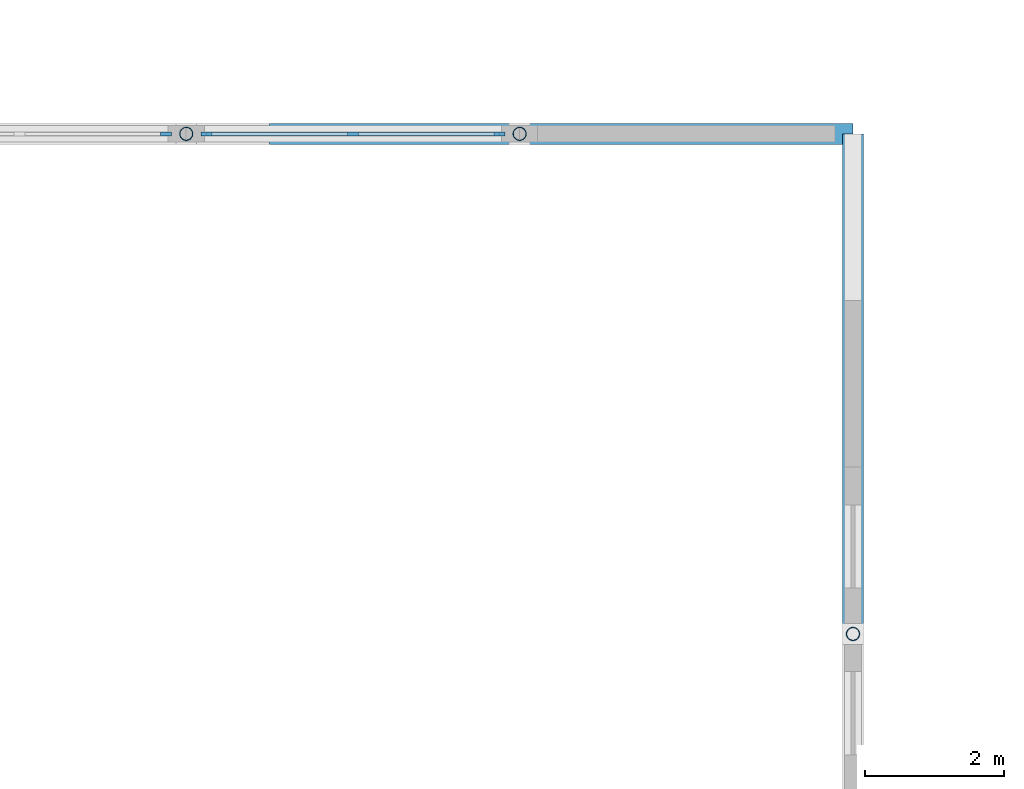
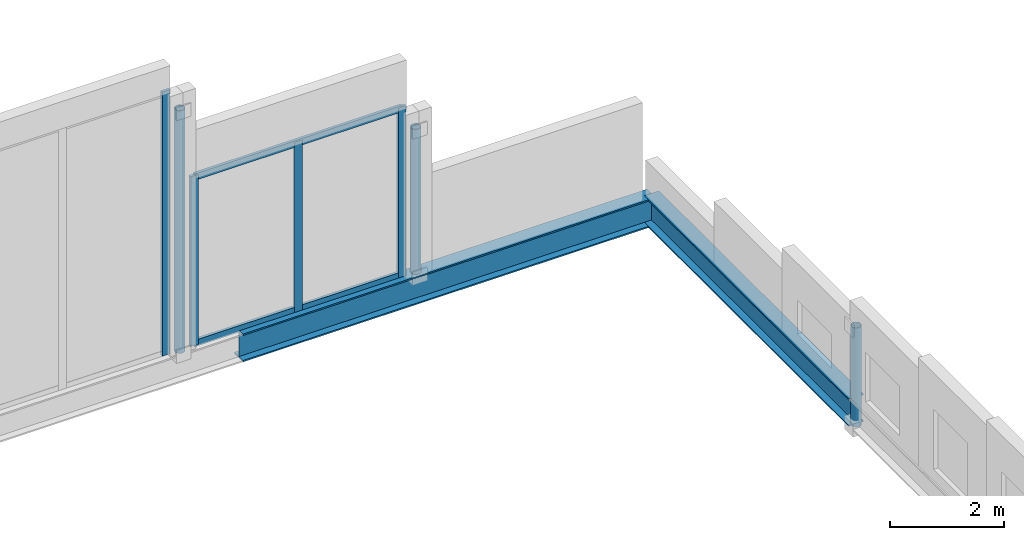
# One storey, part 8 of 34: 9 members, 2 beams, 2 elements without a shape of their own.
"""IFC4 building model written with IfcOpenShell, lengths in metres."""

import ifcopenshell
import ifcopenshell.guid

model = None  # the IFC model being written
_history = None  # IfcOwnerHistory: only IFC2X3 demands one
_inside = {}  # id of a spatial element -> (the spatial element, [elements in it])
_under = {}  # id of a project, library or spatial element -> (it, [spatial elements below it])
_declared = {}  # id of a project -> (the project, [libraries it declares])
_typed = {}  # id of a type object -> (the type object, [elements of that type])
_made_of = {}  # id of a material, layer set ... -> (it, [elements and type objects made of it])


def new_model(schema):
    """Start an empty IFC model of exactly this schema.

    Asked for "IFC4X3", IfcOpenShell would pick the latest addendum, in which some entities
    have other attributes; the version numbers below select the first issue.
    IFC2X3 requires an IfcOwnerHistory on every rooted entity: one is made here for all.
    """
    global model, _history
    if schema == "IFC4X3":
        model = ifcopenshell.file(schema_version=(4, 3, 0, 0))
    else:
        model = ifcopenshell.file(schema=schema)
    _inside.clear()
    _under.clear()
    _declared.clear()
    _typed.clear()
    _made_of.clear()
    _history = None
    if model.schema == "IFC2X3":
        org = make("IfcOrganization", Name="unknown")
        user = make(
            "IfcPersonAndOrganization",
            ThePerson=make("IfcPerson", FamilyName="unknown"),
            TheOrganization=org,
        )
        app = make(
            "IfcApplication",
            ApplicationDeveloper=org,
            Version="unknown",
            ApplicationFullName="unknown",
            ApplicationIdentifier="unknown",
        )
        _history = make(
            "IfcOwnerHistory",
            OwningUser=user,
            OwningApplication=app,
            ChangeAction="ADDED",
            CreationDate=0,
        )
    return model


def make(cls, **values):
    """One entity of the class cls with the attributes given. An attribute that is None is left unset."""
    return model.create_entity(
        cls, **{name: value for name, value in values.items() if value is not None}
    )


def rooted(cls, **values):
    """An entity with a GlobalId (a new one), such as an element, a storey or a relation."""
    return make(cls, GlobalId=ifcopenshell.guid.new(), OwnerHistory=_history, **values)


def si_unit(unit_type, name, prefix=None):
    """IfcSIUnit, for example si_unit("LENGTHUNIT", "METRE", prefix="MILLI")."""
    return make("IfcSIUnit", UnitType=unit_type, Prefix=prefix, Name=name)


def assignment(units):
    """IfcUnitAssignment: the units of a project."""
    return None if units is None else make("IfcUnitAssignment", Units=units)


def point(xyz):
    """IfcCartesianPoint."""
    return None if xyz is None else make("IfcCartesianPoint", Coordinates=xyz)


def direction(xyz):
    """IfcDirection."""
    return None if xyz is None else make("IfcDirection", DirectionRatios=xyz)


def frame(location, z_axis=None, x_axis=None):
    """IfcAxis2Placement3D, a coordinate frame: its origin and axes. An axis left out is left unset."""
    return make(
        "IfcAxis2Placement3D",
        Location=point(location),
        Axis=direction(z_axis),
        RefDirection=direction(x_axis),
    )


def frame_2d(location, x_axis=None):
    """IfcAxis2Placement2D, a coordinate frame in the plane: its origin and x axis."""
    return make(
        "IfcAxis2Placement2D", Location=point(location), RefDirection=direction(x_axis)
    )


def origin():
    """The frame at (0, 0, 0) with its axes left unset."""
    return frame((0.0, 0.0, 0.0))


def origin_2d():
    """The frame at (0, 0) in the plane with its x axis left unset."""
    return frame_2d((0.0, 0.0))


def place(relative_to, where):
    """IfcLocalPlacement: puts the frame where relative to a parent placement (None: the world)."""
    return make(
        "IfcLocalPlacement", PlacementRelTo=relative_to, RelativePlacement=where
    )


def context(
    kind, dimensions, precision=None, world=None, true_north=None, identifier=None
):
    """IfcGeometricRepresentationContext, for example the 3D "Model" context."""
    return make(
        "IfcGeometricRepresentationContext",
        ContextIdentifier=identifier,
        ContextType=kind,
        CoordinateSpaceDimension=dimensions,
        Precision=precision,
        WorldCoordinateSystem=world,
        TrueNorth=true_north,
    )


def subcontext(parent, identifier, kind, view, scale=None):
    """IfcGeometricRepresentationSubContext, for example "Body" below "Model"."""
    return make(
        "IfcGeometricRepresentationSubContext",
        ContextIdentifier=identifier,
        ContextType=kind,
        ParentContext=parent,
        TargetScale=scale,
        TargetView=view,
    )


def project(units=None, contexts=None):
    """IfcProject with its units and contexts."""
    return rooted(
        "IfcProject",
        Name="project",
        RepresentationContexts=contexts,
        UnitsInContext=assignment(units),
    )


def spatial(cls, under=None, at=None, **own):
    """A site, building, storey or space (cls), placed at a placement, below another one or the project."""
    s = rooted(cls, ObjectPlacement=at, **own)
    if under is not None:
        _under.setdefault(under.id(), (under, []))[1].append(s)
    return s


def profile(cls, at=None, kind="AREA", **sizes):
    """A parametric profile (cls). Its sizes go by their IFC names, for example OverallWidth=200.0."""
    return make(cls, ProfileType=kind, Position=at, **sizes)


def rectangle(**sizes):
    """IfcRectangleProfileDef."""
    return profile("IfcRectangleProfileDef", **sizes)


def hollow_circle(**sizes):
    """IfcCircleHollowProfileDef."""
    return profile("IfcCircleHollowProfileDef", **sizes)


def i_section(**sizes):
    """IfcIShapeProfileDef."""
    return profile("IfcIShapeProfileDef", **sizes)


def extrude(swept, where, along, depth):
    """IfcExtrudedAreaSolid: the profile swept, set in the frame where, extruded along a direction by depth."""
    return make(
        "IfcExtrudedAreaSolid",
        SweptArea=swept,
        Position=where,
        ExtrudedDirection=direction(along),
        Depth=depth,
    )


def shape(context_of_items, identifier, shape_type, items):
    """IfcShapeRepresentation: the items that make up one representation, for example the "Body"."""
    return make(
        "IfcShapeRepresentation",
        ContextOfItems=context_of_items,
        RepresentationIdentifier=identifier,
        RepresentationType=shape_type,
        Items=items,
    )


def material(Name=None, Category=None):
    """IfcMaterial."""
    return make("IfcMaterial", Name=Name, Category=Category)


def material_profile(
    of_material, cross_section, Name=None, Category=None, Priority=None
):
    """IfcMaterialProfile: a cross section and its material."""
    return make(
        "IfcMaterialProfile",
        Name=Name,
        Material=of_material,
        Profile=cross_section,
        Priority=Priority,
        Category=Category,
    )


def profile_set(profiles, Name=None, composite=None):
    """IfcMaterialProfileSet."""
    return make(
        "IfcMaterialProfileSet",
        Name=Name,
        MaterialProfiles=profiles,
        CompositeProfile=composite,
    )


def made_of(thing, what):
    """Note that an element or type object is made of a material, layer set ...; save() writes the relation."""
    if what is not None:
        _made_of.setdefault(what.id(), (what, []))[1].append(thing)
    return thing


def type_object(cls, material=None, **own):
    """A type object (cls), such as IfcWallType, which elements share."""
    return made_of(rooted(cls, **own), material)


def element(
    cls,
    number,
    at=None,
    inside=None,
    cuts=None,
    type_object=None,
    material=None,
    context=None,
    identifier="Body",
    shape_type=None,
    held_by="IfcProductDefinitionShape",
    body=None,
    shapes=None,
    **own,
):
    """One element of the class cls, such as IfcWall. Its Tag is "e" and its number.

    at: its placement. inside: the storey or other place that contains it. cuts: it is an
    opening in that element (IfcRelVoidsElement). A single representation is given by context,
    identifier, shape_type and body (its items); several are given by shapes. held_by: the class
    of the entity that holds the representations. save() writes the other relations.
    """
    e = rooted(cls, Tag="e%d" % number, ObjectPlacement=at, **own)
    if body is not None:
        shapes = [shape(context, identifier, shape_type, body)]
    if shapes is not None:
        e.Representation = make(held_by, Representations=shapes)
    if inside is not None:
        _inside.setdefault(inside.id(), (inside, []))[1].append(e)
    if cuts is not None:
        rooted(
            "IfcRelVoidsElement", RelatingBuildingElement=cuts, RelatedOpeningElement=e
        )
    if type_object is not None:
        _typed.setdefault(type_object.id(), (type_object, []))[1].append(e)
    return made_of(e, material)


def aggregate(whole, parts):
    """IfcRelAggregates: a whole, such as a stair, and the parts it consists of."""
    return rooted("IfcRelAggregates", RelatingObject=whole, RelatedObjects=parts)


def save(model, path):
    """Write the relations noted so far, then the file.

    IfcRelAggregates (storeys below a building ...), IfcRelContainedInSpatialStructure (elements
    in a storey), IfcRelDefinesByType, IfcRelAssociatesMaterial and IfcRelDeclares: one each for
    every whole, place, type object, material and project.
    """
    for whole, parts in _under.values():
        aggregate(whole, parts)
    for where, things in _inside.values():
        rooted(
            "IfcRelContainedInSpatialStructure",
            RelatedElements=things,
            RelatingStructure=where,
        )
    for kind, things in _typed.values():
        rooted("IfcRelDefinesByType", RelatedObjects=things, RelatingType=kind)
    for what, things in _made_of.values():
        rooted("IfcRelAssociatesMaterial", RelatedObjects=things, RelatingMaterial=what)
    for by, libraries in _declared.values():
        rooted("IfcRelDeclares", RelatingContext=by, RelatedDefinitions=libraries)
    model.write(path)


model = new_model("IFC4")

# Units and contexts
model_context = context("Model", 3, precision=1e-05, world=origin(), true_north=direction((0.0, 1.0)))
body_context = subcontext(model_context, "Body", "Model", "MODEL_VIEW")
ifc_project = project(units=[si_unit("LENGTHUNIT", "METRE"), si_unit("AREAUNIT", "SQUARE_METRE"), si_unit("VOLUMEUNIT", "CUBIC_METRE"), si_unit("PLANEANGLEUNIT", "RADIAN"), si_unit("MASSUNIT", "GRAM", prefix="KILO")], contexts=[model_context])

# Site, building, storey
site_placement = place(None, origin())
site = spatial("IfcSite", under=ifc_project, at=site_placement, CompositionType="ELEMENT")
building_placement = place(site_placement, origin())
building = spatial("IfcBuilding", under=site, at=building_placement, Name="Kahlenmark Community Centre", CompositionType="ELEMENT")
storey_placement = place(building_placement, frame((0.0, 0.0, 17.699951171875)))
storey = spatial("IfcBuildingStorey", under=building, at=storey_placement, Name="L04", CompositionType="ELEMENT", Elevation=17.699951171875)

# Beams
ifc_material_1 = material(Name="Steel S355", Category="steel")
ifc_material_profile_1 = material_profile(ifc_material_1, i_section(OverallWidth=0.300048828125, OverallDepth=0.60009765625, WebThickness=0.015380859375, FlangeThickness=0.030029296875, at=origin_2d()), Name="HEB 600")
ifc_profile_set_1 = profile_set([ifc_material_profile_1], Name="Steel S355")
beam_type = type_object("IfcBeamType", Name="BT-SPANDREL-HEB600", PredefinedType="SPANDREL", material=ifc_profile_set_1)
beam_1_placement = place(storey_placement, frame((37.60009765625, 37.60009765625, 0.0), z_axis=(1.0, 0.0, 0.0), x_axis=(0.0, 1.0, 0.0)))
element("IfcBeam", 1, at=beam_1_placement, inside=storey, type_object=beam_type, Name="L04 spandrel RB-1", PredefinedType="SPANDREL", context=body_context, shape_type="SweptSolid", body=[
    extrude(i_section(OverallWidth=0.300048828125, OverallDepth=0.60009765625, WebThickness=0.015380859375, FlangeThickness=0.030029296875, at=origin_2d()), origin(), (0.0, 0.0, 1.0), 8.39990234375),
])
beam_2_placement = place(storey_placement, frame((46.0, 30.39990234375, 0.0), z_axis=(0.0, 1.0, 0.0), x_axis=(-1.0, 0.0, 0.0)))
element("IfcBeam", 2, at=beam_2_placement, inside=storey, type_object=beam_type, Name="L04 spandrel RB-1", PredefinedType="SPANDREL", context=body_context, shape_type="SweptSolid", body=[
    extrude(i_section(OverallWidth=0.300048828125, OverallDepth=0.60009765625, WebThickness=0.015380859375, FlangeThickness=0.030029296875, at=origin_2d()), origin(), (0.0, 0.0, 1.0), 7.2001953125),
])

# Curtain wall, member
ifc_material_2 = material(Name="Anodised aluminium unitised curtain wall", Category="aluminium")
curtain_wall_type_1 = type_object("IfcCurtainWallType", Name="CWT-UNIT-428X568", PredefinedType="USERDEFINED", material=ifc_material_2)
curtain_wall_1_placement = place(storey_placement, origin())
curtain_wall_1 = element("IfcCurtainWall", 3, at=curtain_wall_1_placement, inside=storey, type_object=curtain_wall_type_1, Name="Unitised curtain wall CW-199", ObjectType="UNITISED CURTAIN WALL", PredefinedType="USERDEFINED")
ifc_material_3 = material(Name="Anodised aluminium 6063-T6", Category="aluminium")
ifc_material_profile_2 = material_profile(ifc_material_3, rectangle(XDim=0.06005859375, YDim=0.159912109375, at=origin_2d()), Name="ALU MULLION 60x160")
ifc_profile_set_2 = profile_set([ifc_material_profile_2], Name="Anodised aluminium 6063-T6")
member_type_1 = type_object("IfcMemberType", Name="MT-MUL-160", PredefinedType="MULLION", material=ifc_profile_set_2)
member_1_placement = place(storey_placement, frame((36.110107421875, 37.60009765625, 0.300048828125), z_axis=(0.0, 0.0, 1.0), x_axis=(0.0, 1.0, 0.0)))
member_1 = element("IfcMember", 4, at=member_1_placement, type_object=member_type_1, Name="CW-199 mullion 3", PredefinedType="MULLION", context=body_context, shape_type="SweptSolid", body=[
    extrude(rectangle(XDim=0.06005859375, YDim=0.159912109375, at=origin_2d()), origin(), (0.0, 0.0, 1.0), 5.6796875),
])
aggregate(curtain_wall_1, [member_1])

# Curtain wall, members
curtain_wall_type_2 = type_object("IfcCurtainWallType", Name="CWT-UNIT-428X366", PredefinedType="USERDEFINED", material=ifc_material_2)
curtain_wall_2_placement = place(storey_placement, origin())
curtain_wall_2 = element("IfcCurtainWall", 5, at=curtain_wall_2_placement, inside=storey, type_object=curtain_wall_type_2, Name="Unitised curtain wall CW-200", ObjectType="UNITISED CURTAIN WALL", PredefinedType="USERDEFINED")
member_2_placement = place(storey_placement, frame((36.68994140625, 37.60009765625, 0.300048828125), z_axis=(0.0, 0.0, 1.0), x_axis=(0.0, 1.0, 0.0)))
member_2 = element("IfcMember", 6, at=member_2_placement, type_object=member_type_1, Name="CW-200 mullion 1", PredefinedType="MULLION", context=body_context, shape_type="SweptSolid", body=[
    extrude(rectangle(XDim=0.06005859375, YDim=0.159912109375, at=origin_2d()), origin(), (0.0, 0.0, 1.0), 3.6572265625),
])
member_3_placement = place(storey_placement, frame((38.800048828125, 37.60009765625, 0.300048828125), z_axis=(0.0, 0.0, 1.0), x_axis=(0.0, 1.0, 0.0)))
member_3 = element("IfcMember", 7, at=member_3_placement, type_object=member_type_1, Name="CW-200 mullion 2", PredefinedType="MULLION", context=body_context, shape_type="SweptSolid", body=[
    extrude(rectangle(XDim=0.06005859375, YDim=0.159912109375, at=origin_2d()), origin(), (0.0, 0.0, 1.0), 3.6572265625),
])
member_4_placement = place(storey_placement, frame((40.909912109375, 37.60009765625, 0.300048828125), z_axis=(0.0, 0.0, 1.0), x_axis=(0.0, 1.0, 0.0)))
member_4 = element("IfcMember", 8, at=member_4_placement, type_object=member_type_1, Name="CW-200 mullion 3", PredefinedType="MULLION", context=body_context, shape_type="SweptSolid", body=[
    extrude(rectangle(XDim=0.06005859375, YDim=0.159912109375, at=origin_2d()), origin(), (0.0, 0.0, 1.0), 3.6572265625),
])

# Members
ifc_material_profile_3 = material_profile(ifc_material_1, hollow_circle(Radius=0.096923828125, WallThickness=0.008056640625, at=origin_2d()), Name="CHS 193.7x8")
ifc_profile_set_3 = profile_set([ifc_material_profile_3], Name="Steel S355")
member_type_2 = type_object("IfcMemberType", Name="MT-STRUT-CHS193.7x8", PredefinedType="STRUT", material=ifc_profile_set_3)
member_5_placement = place(storey_placement, frame((36.39990234375, 37.60009765625, 0.280029296875), z_axis=(0.0, 0.0, 1.0), x_axis=(1.0, 0.0, 0.0)))
element("IfcMember", 9, at=member_5_placement, inside=storey, type_object=member_type_2, Name="L04 strut GS-POST", PredefinedType="STRUT", context=body_context, shape_type="SweptSolid", body=[
    extrude(hollow_circle(Radius=0.096923828125, WallThickness=0.008056640625, at=origin_2d()), origin(), (0.0, 0.0, 1.0), 5.216552734375),
])
member_6_placement = place(storey_placement, frame((41.199951171875, 37.60009765625, 0.280029296875), z_axis=(0.0, 0.0, 1.0), x_axis=(1.0, 0.0, 0.0)))
element("IfcMember", 10, at=member_6_placement, inside=storey, type_object=member_type_2, Name="L04 strut GS-POST", PredefinedType="STRUT", context=body_context, shape_type="SweptSolid", body=[
    extrude(hollow_circle(Radius=0.096923828125, WallThickness=0.008056640625, at=origin_2d()), origin(), (0.0, 0.0, 1.0), 3.137939453125),
])
member_7_placement = place(storey_placement, frame((46.0, 30.39990234375, -0.300048828125), z_axis=(0.0, 0.0, 1.0), x_axis=(1.0, 0.0, 0.0)))
element("IfcMember", 11, at=member_7_placement, inside=storey, type_object=member_type_2, Name="L04 strut GS-POST", PredefinedType="STRUT", context=body_context, shape_type="SweptSolid", body=[
    extrude(hollow_circle(Radius=0.096923828125, WallThickness=0.008056640625, at=origin_2d()), origin(), (0.0, 0.0, 1.0), 2.1328125),
])

# Member
ifc_material_profile_4 = material_profile(ifc_material_3, rectangle(XDim=0.06005859375, YDim=0.139892578125, at=origin_2d()), Name="ALU TRANSOM 60x140")
ifc_profile_set_4 = profile_set([ifc_material_profile_4], Name="Anodised aluminium 6063-T6")
member_type_3 = type_object("IfcMemberType", Name="MT-TRN-140", PredefinedType="USERDEFINED", material=ifc_profile_set_4)
member_8_placement = place(storey_placement, frame((36.68994140625, 37.60009765625, 0.340087890625), z_axis=(1.0, 0.0, 0.0), x_axis=(0.0, 1.0, 0.0)))
member_8 = element("IfcMember", 12, at=member_8_placement, type_object=member_type_3, Name="CW-200 transom 1", ObjectType="TRANSOM", PredefinedType="USERDEFINED", context=body_context, shape_type="SweptSolid", body=[
    extrude(rectangle(XDim=0.06005859375, YDim=0.139892578125, at=origin_2d()), origin(), (0.0, 0.0, 1.0), 4.219970703125),
])

member_9_placement = place(storey_placement, frame((36.68994140625, 37.60009765625, 3.917236328125), z_axis=(1.0, 0.0, 0.0), x_axis=(0.0, 1.0, 0.0)))
member_9 = element("IfcMember", 13, at=member_9_placement, type_object=member_type_3, Name="CW-200 transom 2", ObjectType="TRANSOM", PredefinedType="USERDEFINED", context=body_context, shape_type="SweptSolid", body=[
    extrude(rectangle(XDim=0.06005859375, YDim=0.139892578125, at=origin_2d()), origin(), (0.0, 0.0, 1.0), 4.219970703125),
])

aggregate(curtain_wall_2, [member_2, member_3, member_4, member_8, member_9])

save(model, "model.ifc")
